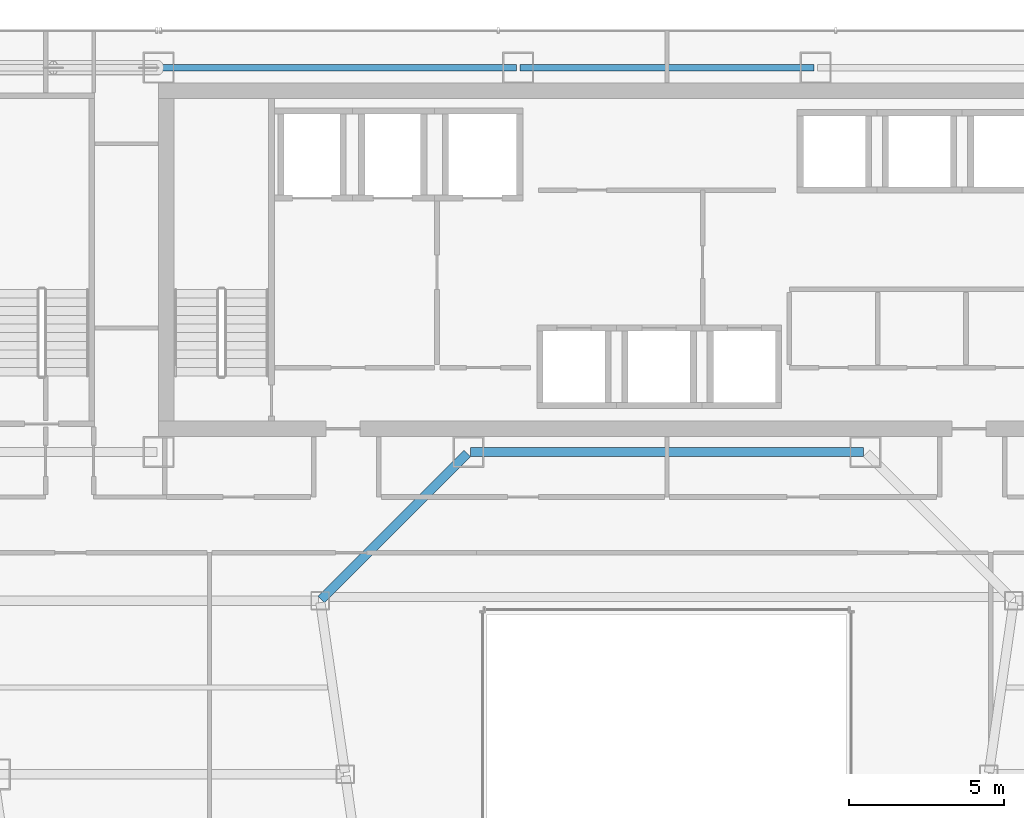
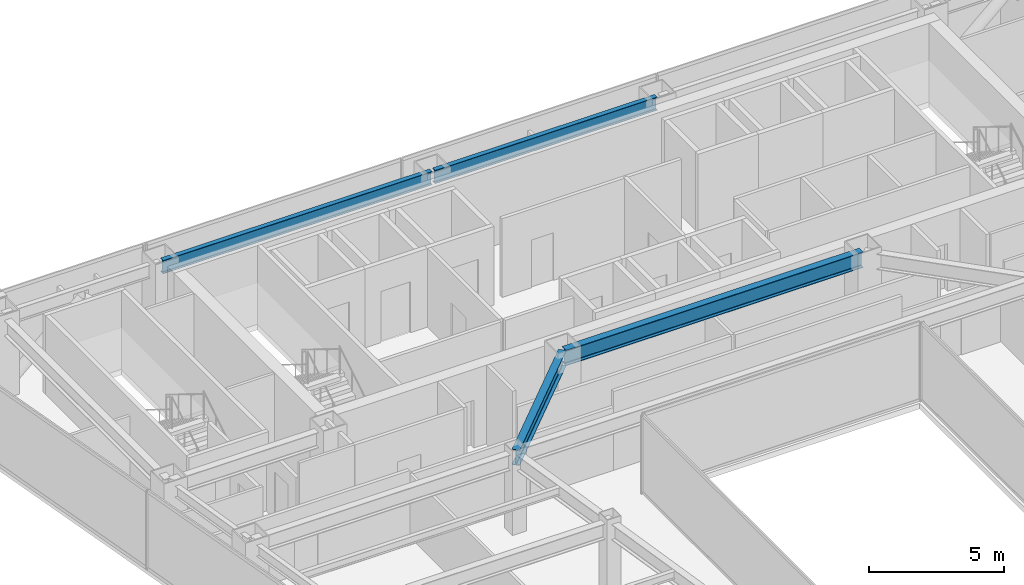
# One storey, part 21 of 37: 4 beams.
"""IFC4 building model written with IfcOpenShell, lengths in metres."""

import ifcopenshell
import ifcopenshell.guid

model = None  # the IFC model being written
_history = None  # IfcOwnerHistory: only IFC2X3 demands one
_inside = {}  # id of a spatial element -> (the spatial element, [elements in it])
_under = {}  # id of a project, library or spatial element -> (it, [spatial elements below it])
_declared = {}  # id of a project -> (the project, [libraries it declares])
_typed = {}  # id of a type object -> (the type object, [elements of that type])
_made_of = {}  # id of a material, layer set ... -> (it, [elements and type objects made of it])


def new_model(schema):
    """Start an empty IFC model of exactly this schema.

    Asked for "IFC4X3", IfcOpenShell would pick the latest addendum, in which some entities
    have other attributes; the version numbers below select the first issue.
    IFC2X3 requires an IfcOwnerHistory on every rooted entity: one is made here for all.
    """
    global model, _history
    if schema == "IFC4X3":
        model = ifcopenshell.file(schema_version=(4, 3, 0, 0))
    else:
        model = ifcopenshell.file(schema=schema)
    _inside.clear()
    _under.clear()
    _declared.clear()
    _typed.clear()
    _made_of.clear()
    _history = None
    if model.schema == "IFC2X3":
        org = make("IfcOrganization", Name="unknown")
        user = make(
            "IfcPersonAndOrganization",
            ThePerson=make("IfcPerson", FamilyName="unknown"),
            TheOrganization=org,
        )
        app = make(
            "IfcApplication",
            ApplicationDeveloper=org,
            Version="unknown",
            ApplicationFullName="unknown",
            ApplicationIdentifier="unknown",
        )
        _history = make(
            "IfcOwnerHistory",
            OwningUser=user,
            OwningApplication=app,
            ChangeAction="ADDED",
            CreationDate=0,
        )
    return model


def make(cls, **values):
    """One entity of the class cls with the attributes given. An attribute that is None is left unset."""
    return model.create_entity(
        cls, **{name: value for name, value in values.items() if value is not None}
    )


def rooted(cls, **values):
    """An entity with a GlobalId (a new one), such as an element, a storey or a relation."""
    return make(cls, GlobalId=ifcopenshell.guid.new(), OwnerHistory=_history, **values)


def si_unit(unit_type, name, prefix=None):
    """IfcSIUnit, for example si_unit("LENGTHUNIT", "METRE", prefix="MILLI")."""
    return make("IfcSIUnit", UnitType=unit_type, Prefix=prefix, Name=name)


def assignment(units):
    """IfcUnitAssignment: the units of a project."""
    return None if units is None else make("IfcUnitAssignment", Units=units)


def point(xyz):
    """IfcCartesianPoint."""
    return None if xyz is None else make("IfcCartesianPoint", Coordinates=xyz)


def direction(xyz):
    """IfcDirection."""
    return None if xyz is None else make("IfcDirection", DirectionRatios=xyz)


def frame(location, z_axis=None, x_axis=None):
    """IfcAxis2Placement3D, a coordinate frame: its origin and axes. An axis left out is left unset."""
    return make(
        "IfcAxis2Placement3D",
        Location=point(location),
        Axis=direction(z_axis),
        RefDirection=direction(x_axis),
    )


def frame_2d(location, x_axis=None):
    """IfcAxis2Placement2D, a coordinate frame in the plane: its origin and x axis."""
    return make(
        "IfcAxis2Placement2D", Location=point(location), RefDirection=direction(x_axis)
    )


def origin():
    """The frame at (0, 0, 0) with its axes left unset."""
    return frame((0.0, 0.0, 0.0))


def origin_2d():
    """The frame at (0, 0) in the plane with its x axis left unset."""
    return frame_2d((0.0, 0.0))


def place(relative_to, where):
    """IfcLocalPlacement: puts the frame where relative to a parent placement (None: the world)."""
    return make(
        "IfcLocalPlacement", PlacementRelTo=relative_to, RelativePlacement=where
    )


def context(
    kind, dimensions, precision=None, world=None, true_north=None, identifier=None
):
    """IfcGeometricRepresentationContext, for example the 3D "Model" context."""
    return make(
        "IfcGeometricRepresentationContext",
        ContextIdentifier=identifier,
        ContextType=kind,
        CoordinateSpaceDimension=dimensions,
        Precision=precision,
        WorldCoordinateSystem=world,
        TrueNorth=true_north,
    )


def subcontext(parent, identifier, kind, view, scale=None):
    """IfcGeometricRepresentationSubContext, for example "Body" below "Model"."""
    return make(
        "IfcGeometricRepresentationSubContext",
        ContextIdentifier=identifier,
        ContextType=kind,
        ParentContext=parent,
        TargetScale=scale,
        TargetView=view,
    )


def project(units=None, contexts=None):
    """IfcProject with its units and contexts."""
    return rooted(
        "IfcProject",
        Name="project",
        RepresentationContexts=contexts,
        UnitsInContext=assignment(units),
    )


def spatial(cls, under=None, at=None, **own):
    """A site, building, storey or space (cls), placed at a placement, below another one or the project."""
    s = rooted(cls, ObjectPlacement=at, **own)
    if under is not None:
        _under.setdefault(under.id(), (under, []))[1].append(s)
    return s


def profile(cls, at=None, kind="AREA", **sizes):
    """A parametric profile (cls). Its sizes go by their IFC names, for example OverallWidth=200.0."""
    return make(cls, ProfileType=kind, Position=at, **sizes)


def i_section(**sizes):
    """IfcIShapeProfileDef."""
    return profile("IfcIShapeProfileDef", **sizes)


def extrude(swept, where, along, depth):
    """IfcExtrudedAreaSolid: the profile swept, set in the frame where, extruded along a direction by depth."""
    return make(
        "IfcExtrudedAreaSolid",
        SweptArea=swept,
        Position=where,
        ExtrudedDirection=direction(along),
        Depth=depth,
    )


def shape(context_of_items, identifier, shape_type, items):
    """IfcShapeRepresentation: the items that make up one representation, for example the "Body"."""
    return make(
        "IfcShapeRepresentation",
        ContextOfItems=context_of_items,
        RepresentationIdentifier=identifier,
        RepresentationType=shape_type,
        Items=items,
    )


def material(Name=None, Category=None):
    """IfcMaterial."""
    return make("IfcMaterial", Name=Name, Category=Category)


def material_profile(
    of_material, cross_section, Name=None, Category=None, Priority=None
):
    """IfcMaterialProfile: a cross section and its material."""
    return make(
        "IfcMaterialProfile",
        Name=Name,
        Material=of_material,
        Profile=cross_section,
        Priority=Priority,
        Category=Category,
    )


def profile_set(profiles, Name=None, composite=None):
    """IfcMaterialProfileSet."""
    return make(
        "IfcMaterialProfileSet",
        Name=Name,
        MaterialProfiles=profiles,
        CompositeProfile=composite,
    )


def made_of(thing, what):
    """Note that an element or type object is made of a material, layer set ...; save() writes the relation."""
    if what is not None:
        _made_of.setdefault(what.id(), (what, []))[1].append(thing)
    return thing


def type_object(cls, material=None, **own):
    """A type object (cls), such as IfcWallType, which elements share."""
    return made_of(rooted(cls, **own), material)


def element(
    cls,
    number,
    at=None,
    inside=None,
    cuts=None,
    type_object=None,
    material=None,
    context=None,
    identifier="Body",
    shape_type=None,
    held_by="IfcProductDefinitionShape",
    body=None,
    shapes=None,
    **own,
):
    """One element of the class cls, such as IfcWall. Its Tag is "e" and its number.

    at: its placement. inside: the storey or other place that contains it. cuts: it is an
    opening in that element (IfcRelVoidsElement). A single representation is given by context,
    identifier, shape_type and body (its items); several are given by shapes. held_by: the class
    of the entity that holds the representations. save() writes the other relations.
    """
    e = rooted(cls, Tag="e%d" % number, ObjectPlacement=at, **own)
    if body is not None:
        shapes = [shape(context, identifier, shape_type, body)]
    if shapes is not None:
        e.Representation = make(held_by, Representations=shapes)
    if inside is not None:
        _inside.setdefault(inside.id(), (inside, []))[1].append(e)
    if cuts is not None:
        rooted(
            "IfcRelVoidsElement", RelatingBuildingElement=cuts, RelatedOpeningElement=e
        )
    if type_object is not None:
        _typed.setdefault(type_object.id(), (type_object, []))[1].append(e)
    return made_of(e, material)


def aggregate(whole, parts):
    """IfcRelAggregates: a whole, such as a stair, and the parts it consists of."""
    return rooted("IfcRelAggregates", RelatingObject=whole, RelatedObjects=parts)


def save(model, path):
    """Write the relations noted so far, then the file.

    IfcRelAggregates (storeys below a building ...), IfcRelContainedInSpatialStructure (elements
    in a storey), IfcRelDefinesByType, IfcRelAssociatesMaterial and IfcRelDeclares: one each for
    every whole, place, type object, material and project.
    """
    for whole, parts in _under.values():
        aggregate(whole, parts)
    for where, things in _inside.values():
        rooted(
            "IfcRelContainedInSpatialStructure",
            RelatedElements=things,
            RelatingStructure=where,
        )
    for kind, things in _typed.values():
        rooted("IfcRelDefinesByType", RelatedObjects=things, RelatingType=kind)
    for what, things in _made_of.values():
        rooted("IfcRelAssociatesMaterial", RelatedObjects=things, RelatingMaterial=what)
    for by, libraries in _declared.values():
        rooted("IfcRelDeclares", RelatingContext=by, RelatedDefinitions=libraries)
    model.write(path)


model = new_model("IFC4")

# Units and contexts
model_context = context("Model", 3, precision=1e-05, world=origin(), true_north=direction((0.0, 1.0)))
body_context = subcontext(model_context, "Body", "Model", "MODEL_VIEW")
ifc_project = project(units=[si_unit("LENGTHUNIT", "METRE"), si_unit("AREAUNIT", "SQUARE_METRE"), si_unit("VOLUMEUNIT", "CUBIC_METRE"), si_unit("PLANEANGLEUNIT", "RADIAN"), si_unit("MASSUNIT", "GRAM", prefix="KILO")], contexts=[model_context])

# Site, building, storey
site_placement = place(None, origin())
site = spatial("IfcSite", under=ifc_project, at=site_placement, CompositionType="ELEMENT")
building_placement = place(site_placement, origin())
building = spatial("IfcBuilding", under=site, at=building_placement, Name="Saevonmaru Cultural Tower", CompositionType="ELEMENT")
storey_placement = place(building_placement, frame((0.0, 0.0, 144.800048828125)))
storey = spatial("IfcBuildingStorey", under=building, at=storey_placement, Name="L31", CompositionType="ELEMENT", Elevation=144.800048828125)

# Beams
ifc_material = material(Name="Steel SM355", Category="steel")
ifc_material_profile_1 = material_profile(ifc_material, i_section(OverallWidth=0.300048828125, OverallDepth=0.699951171875, WebThickness=0.012939453125, FlangeThickness=0.02392578125, FilletRadius=0.02587890625, at=origin_2d()), Name="H-700x300x13x24")
ifc_profile_set_1 = profile_set([ifc_material_profile_1], Name="Steel SM355")
beam_type_1 = type_object("IfcBeamType", Name="BM-G-H700", PredefinedType="BEAM", material=ifc_profile_set_1)
beam_1_placement = place(storey_placement, frame((23.659912109375, 42.39990234375, 3.199951171875), z_axis=(1.0, 0.0, 0.0), x_axis=(0.0, 1.0, 0.0)))
element("IfcBeam", 1, at=beam_1_placement, inside=storey, type_object=beam_type_1, Name="L31 Core South Girder 3", PredefinedType="BEAM", context=body_context, shape_type="SweptSolid", body=[
    extrude(i_section(OverallWidth=0.300048828125, OverallDepth=0.699951171875, WebThickness=0.012939453125, FlangeThickness=0.02392578125, FilletRadius=0.02587890625, at=origin_2d()), origin(), (0.0, 0.0, 1.0), 12.68017578125),
])
beam_2_placement = place(storey_placement, frame((18.850341796875, 37.642578125, 3.199951171875), z_axis=(0.706538566564, 0.707674539572, 0.0), x_axis=(-0.707674539572, 0.706538566564, 0.0)))
element("IfcBeam", 2, at=beam_2_placement, inside=storey, type_object=beam_type_1, Name="L31 West Atrium Girder 5", PredefinedType="BEAM", context=body_context, shape_type="SweptSolid", body=[
    extrude(i_section(OverallWidth=0.300048828125, OverallDepth=0.699951171875, WebThickness=0.012939453125, FlangeThickness=0.02392578125, FilletRadius=0.02587890625, at=origin_2d()), origin(), (0.0, 0.0, 1.0), 6.662353515625),
])
ifc_material_profile_2 = material_profile(ifc_material, i_section(OverallWidth=0.199951171875, OverallDepth=0.60009765625, WebThickness=0.010986328125, FlangeThickness=0.01708984375, FilletRadius=0.02197265625, at=origin_2d()), Name="H-600x200x11x17")
ifc_profile_set_2 = profile_set([ifc_material_profile_2], Name="Steel SM355")
beam_type_2 = type_object("IfcBeamType", Name="BM-SP-H600", PredefinedType="SPANDREL", material=ifc_profile_set_2)
beam_3_placement = place(storey_placement, frame((13.659912109375, 54.800048828125, 3.25), z_axis=(1.0, 0.0, 0.0), x_axis=(0.0, 1.0, 0.0)))
element("IfcBeam", 3, at=beam_3_placement, inside=storey, type_object=beam_type_2, Name="L31 North Spine Girder 2", PredefinedType="SPANDREL", context=body_context, shape_type="SweptSolid", body=[
    extrude(i_section(OverallWidth=0.199951171875, OverallDepth=0.60009765625, WebThickness=0.010986328125, FlangeThickness=0.01708984375, FilletRadius=0.02197265625, at=origin_2d()), origin(), (0.0, 0.0, 1.0), 11.47998046875),
])
beam_4_placement = place(storey_placement, frame((25.260009765625, 54.800048828125, 3.25), z_axis=(1.0, 0.0, 0.0), x_axis=(0.0, 1.0, 0.0)))
element("IfcBeam", 4, at=beam_4_placement, inside=storey, type_object=beam_type_2, Name="L31 North Spine Girder 3", PredefinedType="SPANDREL", context=body_context, shape_type="SweptSolid", body=[
    extrude(i_section(OverallWidth=0.199951171875, OverallDepth=0.60009765625, WebThickness=0.010986328125, FlangeThickness=0.01708984375, FilletRadius=0.02197265625, at=origin_2d()), origin(), (0.0, 0.0, 1.0), 9.47998046875),
])

save(model, "model.ifc")
